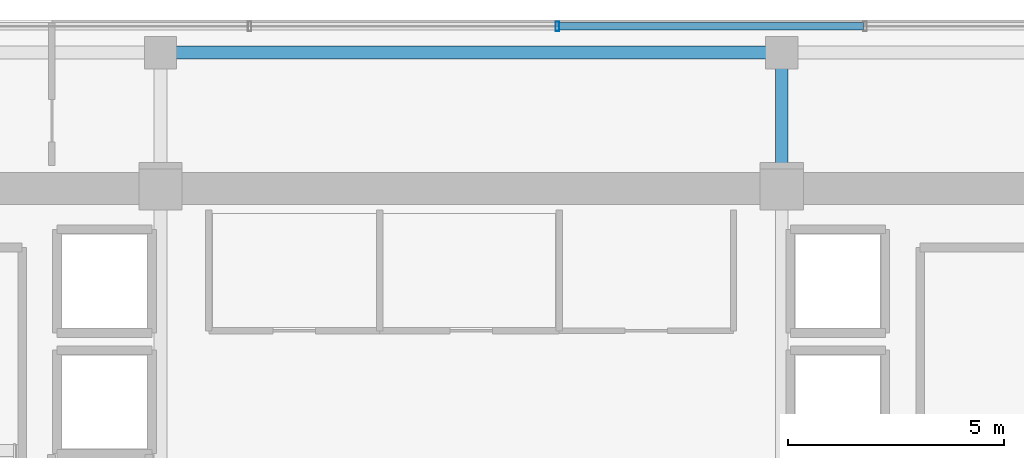
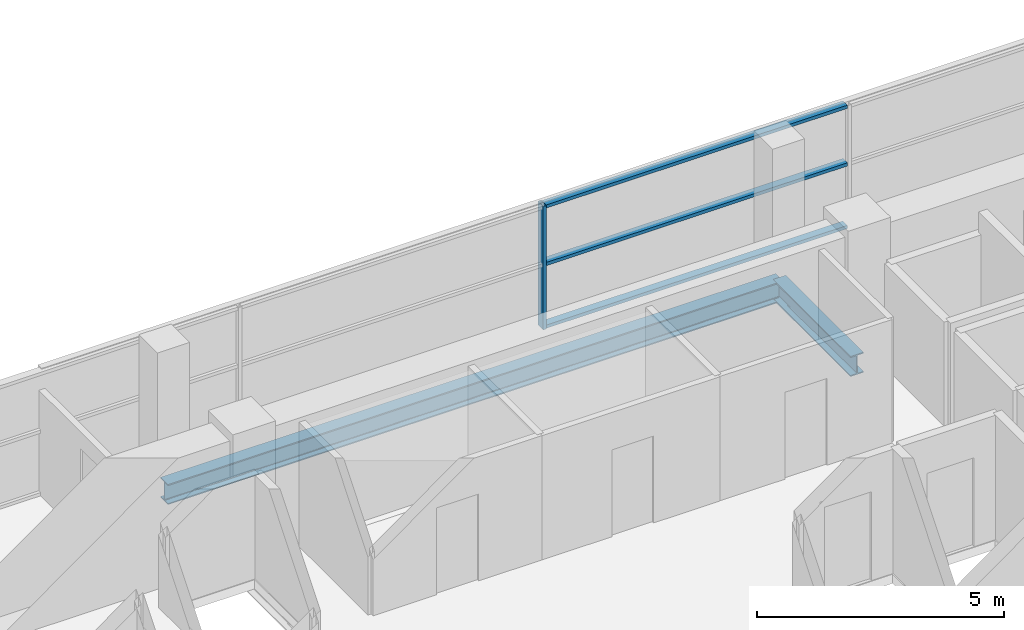
# One storey, part 12 of 23: 4 members, 2 beams, 1 element without a shape of its own.
"""IFC4 building model written with IfcOpenShell, lengths in metres."""

from ifc_helpers import new_model, si_unit, direction, frame, origin, origin_2d, place, context, subcontext, project, spatial, hollow_rectangle, i_section, extrude, source, transform, mapped, material, layer, layer_set, material_profile, profile_set, type_object, element, aggregate, save


model = new_model("IFC4")

# Units and contexts
model_context = context("Model", 3, precision=1e-05, world=origin(), true_north=direction((0.0, 1.0)))
body_context = subcontext(model_context, "Body", "Model", "MODEL_VIEW")
ifc_project = project(units=[si_unit("LENGTHUNIT", "METRE"), si_unit("AREAUNIT", "SQUARE_METRE"), si_unit("VOLUMEUNIT", "CUBIC_METRE"), si_unit("PLANEANGLEUNIT", "RADIAN"), si_unit("MASSUNIT", "GRAM", prefix="KILO")], contexts=[model_context])

# Site, building, storey
site_placement = place(None, origin())
site = spatial("IfcSite", under=ifc_project, at=site_placement, CompositionType="ELEMENT")
building_placement = place(site_placement, origin())
building = spatial("IfcBuilding", under=site, at=building_placement, Name="Zarnakvel Exchange Tower", CompositionType="ELEMENT")
storey_placement = place(building_placement, frame((0.0, 0.0, 172.60009765625)))
storey = spatial("IfcBuildingStorey", under=building, at=storey_placement, Name="L48", CompositionType="ELEMENT", Elevation=172.60009765625)

# Beams
ifc_material_1 = material(Name="Steel S355", Category="steel")
ifc_material_profile_1 = material_profile(ifc_material_1, i_section(OverallWidth=0.300048828125, OverallDepth=0.5, WebThickness=0.014404296875, FlangeThickness=0.028076171875, FilletRadius=0.027099609375, at=origin_2d()))
ifc_profile_set_1 = profile_set([ifc_material_profile_1], Name="Steel S355")
beam_type_1 = type_object("IfcBeamType", Name="G-06", PredefinedType="BEAM", material=ifc_profile_set_1)
beam_1_placement = place(storey_placement, frame((7.199951171875, 13.5, -0.47509765625), z_axis=(0.0, 1.0, 0.0), x_axis=(-1.0, 0.0, 0.0)))
element("IfcBeam", 1, at=beam_1_placement, inside=storey, type_object=beam_type_1, Name="L48 Tower N-S Frame Beam", PredefinedType="BEAM", context=body_context, shape_type="SweptSolid", body=[
    extrude(i_section(OverallWidth=0.300048828125, OverallDepth=0.5, WebThickness=0.014404296875, FlangeThickness=0.028076171875, FilletRadius=0.027099609375, at=origin_2d()), origin(), (0.0, 0.0, 1.0), 3.14990234375),
])
ifc_material_profile_2 = material_profile(ifc_material_1, i_section(OverallWidth=0.300048828125, OverallDepth=0.5, WebThickness=0.014404296875, FlangeThickness=0.028076171875, FilletRadius=0.027099609375, at=origin_2d()))
ifc_profile_set_2 = profile_set([ifc_material_profile_2], Name="Steel S355")
beam_type_2 = type_object("IfcBeamType", Name="SP-02", PredefinedType="SPANDREL", material=ifc_profile_set_2)
beam_2_placement = place(storey_placement, frame((-7.199951171875, 16.64990234375, -0.47509765625), z_axis=(1.0, 0.0, 0.0), x_axis=(0.0, 1.0, 0.0)))
element("IfcBeam", 2, at=beam_2_placement, inside=storey, type_object=beam_type_2, Name="L48 Tower E-W Frame Beam", PredefinedType="SPANDREL", context=body_context, shape_type="SweptSolid", body=[
    extrude(i_section(OverallWidth=0.300048828125, OverallDepth=0.5, WebThickness=0.014404296875, FlangeThickness=0.028076171875, FilletRadius=0.027099609375, at=origin_2d()), origin(), (0.0, 0.0, 1.0), 14.39990234375),
])

# Curtain wall, members
ifc_material_2 = material(Name="Architectural Bronze Anodised Aluminium", Category="aluminium")
ifc_layer = layer(ifc_material_2, 0.219970703125)
ifc_layer_set = layer_set([ifc_layer], Name="Architectural Bronze Anodised Aluminium")
curtain_wall_type = type_object("IfcCurtainWallType", Name="CW-03", PredefinedType="NOTDEFINED", material=ifc_layer_set)
curtain_wall_placement = place(storey_placement, origin())
curtain_wall = element("IfcCurtainWall", 3, at=curtain_wall_placement, inside=storey, type_object=curtain_wall_type, Name="L48 Curtain Wall CW-L48-N1 (CW-03)", PredefinedType="NOTDEFINED")
ifc_material_profile_3 = material_profile(ifc_material_2, hollow_rectangle(XDim=0.219970703125, YDim=0.080078125, WallThickness=0.0048828125, at=origin_2d()))
ifc_profile_set_3 = profile_set([ifc_material_profile_3], Name="Architectural Bronze Anodised Aluminium")
member_type_1 = type_object("IfcMemberType", Name="CWM-03", PredefinedType="MULLION", material=ifc_profile_set_3)
shared_shape_1 = source(origin(), body_context, "Body", "SweptSolid", [
    extrude(hollow_rectangle(XDim=0.219970703125, YDim=0.080078125, WallThickness=0.0048828125, at=origin_2d()), origin(), (0.0, 0.0, 1.0), 3.054931640625),
])
member_1_placement = place(storey_placement, frame((2.0, 17.260009765625, 0.0), z_axis=(0.0, 0.0, 1.0), x_axis=(0.0, 1.0, 0.0)))
member_1 = element("IfcMember", 4, at=member_1_placement, type_object=member_type_1, Name="CW-03 mullion 4", PredefinedType="MULLION", context=body_context, shape_type="MappedRepresentation", body=[
    mapped(shared_shape_1, transform((0.0, 0.0, 0.0), x_axis=(1.0, 0.0, 0.0), y_axis=(0.0, 1.0, 0.0), z_axis=(0.0, 0.0, 1.0), scale=1.0)),
])
ifc_material_profile_4 = material_profile(ifc_material_2, hollow_rectangle(XDim=0.179931640625, YDim=0.080078125, WallThickness=0.00390625, at=origin_2d()))
ifc_profile_set_4 = profile_set([ifc_material_profile_4], Name="Architectural Bronze Anodised Aluminium")
member_type_2 = type_object("IfcMemberType", Name="CWT-03", PredefinedType="USERDEFINED", material=ifc_profile_set_4)
shared_shape_2 = source(origin(), body_context, "Body", "SweptSolid", [
    extrude(hollow_rectangle(XDim=0.179931640625, YDim=0.080078125, WallThickness=0.00390625, at=origin_2d()), origin(), (0.0, 0.0, 1.0), 7.05322265625),
])
member_2_placement = place(storey_placement, frame((2.0400390625, 17.260009765625, 0.039794921875), z_axis=(1.0, 0.0, 0.0), x_axis=(0.0, 1.0, 0.0)))
member_2 = element("IfcMember", 5, at=member_2_placement, type_object=member_type_2, Name="CW-03 transom 4.1", ObjectType="TRANSOM", PredefinedType="USERDEFINED", context=body_context, shape_type="MappedRepresentation", body=[
    mapped(shared_shape_2, transform((0.0, 0.0, 0.0), x_axis=(1.0, 0.0, 0.0), y_axis=(0.0, 1.0, 0.0), z_axis=(0.0, 0.0, 1.0), scale=1.0)),
])
member_3_placement = place(storey_placement, frame((2.0400390625, 17.260009765625, 1.588623046875), z_axis=(1.0, 0.0, 0.0), x_axis=(0.0, 1.0, 0.0)))
member_3 = element("IfcMember", 6, at=member_3_placement, type_object=member_type_2, Name="CW-03 transom 4.2", ObjectType="TRANSOM", PredefinedType="USERDEFINED", context=body_context, shape_type="MappedRepresentation", body=[
    mapped(shared_shape_2, transform((0.0, 0.0, 0.0), x_axis=(1.0, 0.0, 0.0), y_axis=(0.0, 1.0, 0.0), z_axis=(0.0, 0.0, 1.0), scale=1.0)),
])
member_4_placement = place(storey_placement, frame((2.0400390625, 17.260009765625, 3.014892578125), z_axis=(1.0, 0.0, 0.0), x_axis=(0.0, 1.0, 0.0)))
member_4 = element("IfcMember", 7, at=member_4_placement, type_object=member_type_2, Name="CW-03 transom 4.3", ObjectType="TRANSOM", PredefinedType="USERDEFINED", context=body_context, shape_type="MappedRepresentation", body=[
    mapped(shared_shape_2, transform((0.0, 0.0, 0.0), x_axis=(1.0, 0.0, 0.0), y_axis=(0.0, 1.0, 0.0), z_axis=(0.0, 0.0, 1.0), scale=1.0)),
])
aggregate(curtain_wall, [member_1, member_2, member_3, member_4])

save(model, "model.ifc")
